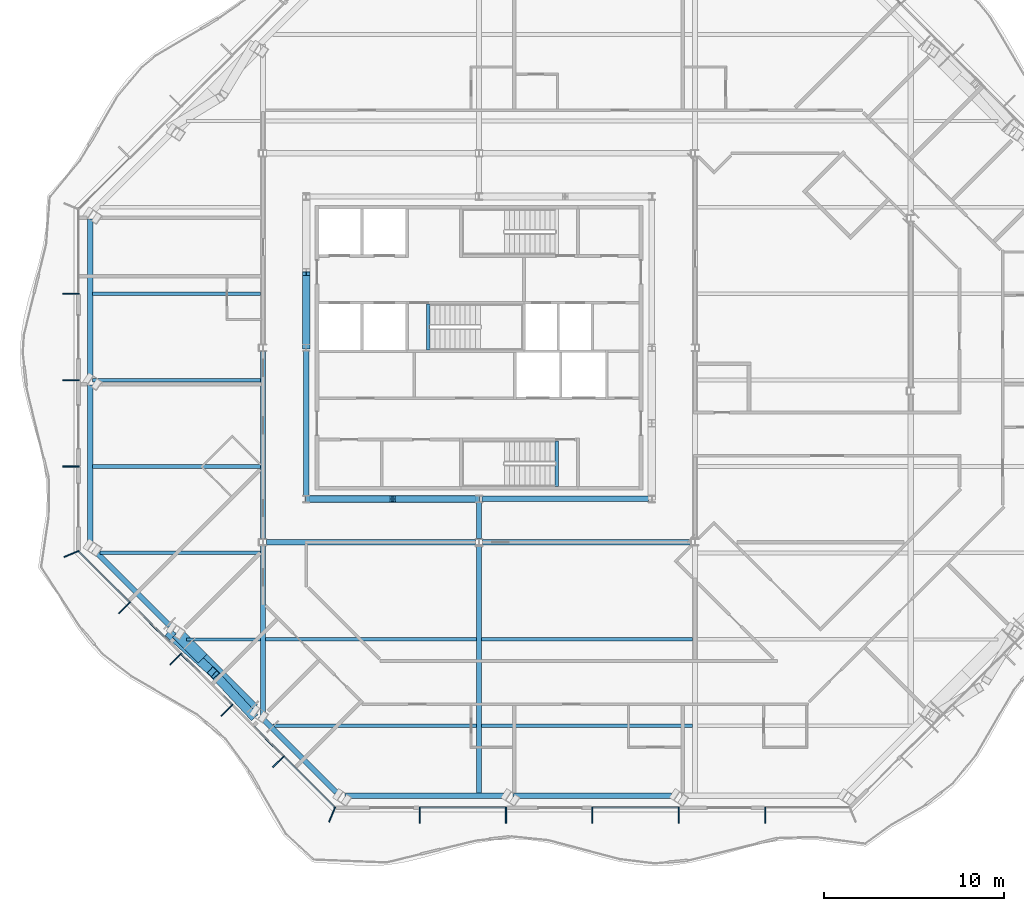
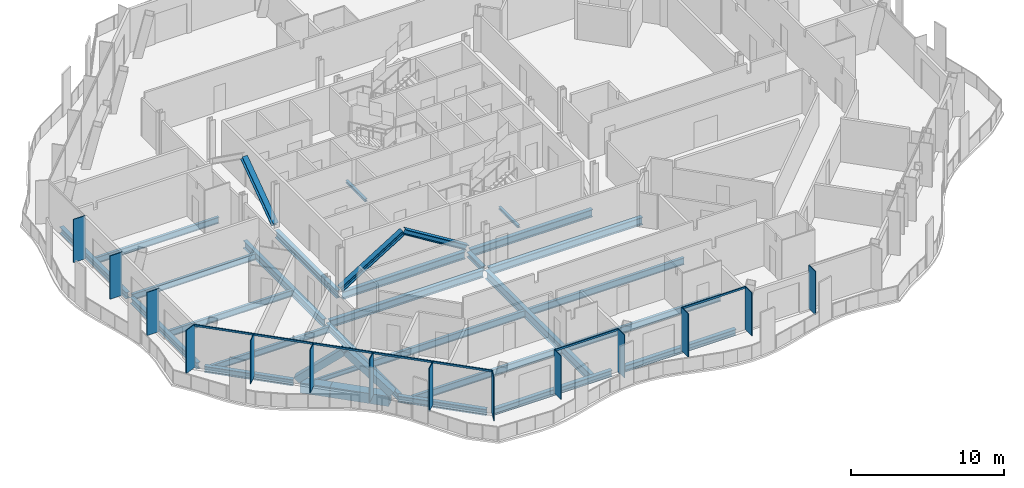
# One storey, part 3 of 19: 28 beams, 26 members, 3 elements without a shape of their own.
"""IFC4 building model written with IfcOpenShell, lengths in metres."""

from ifc_helpers import new_model, si_unit, direction, frame, origin, origin_2d, place, context, subcontext, project, spatial, rectangle, hollow_rectangle, i_section, extrude, material, material_profile, profile_set, type_object, element, aggregate, save


model = new_model("IFC4")

# Units and contexts
model_context = context("Model", 3, precision=1e-05, world=origin(), true_north=direction((0.0, 1.0)))
body_context = subcontext(model_context, "Body", "Model", "MODEL_VIEW")
ifc_project = project(units=[si_unit("LENGTHUNIT", "METRE"), si_unit("AREAUNIT", "SQUARE_METRE"), si_unit("VOLUMEUNIT", "CUBIC_METRE"), si_unit("PLANEANGLEUNIT", "RADIAN"), si_unit("MASSUNIT", "GRAM", prefix="KILO")], contexts=[model_context])

# Site, building, storey
site_placement = place(None, origin())
site = spatial("IfcSite", under=ifc_project, at=site_placement, CompositionType="ELEMENT")
building_placement = place(site_placement, origin())
building = spatial("IfcBuilding", under=site, at=building_placement, Name="Cairn Pilgrim Tower", CompositionType="ELEMENT")
storey_placement = place(building_placement, frame((0.0, 0.0, 193.800048828125)))
storey = spatial("IfcBuildingStorey", under=building, at=storey_placement, Name="L49", CompositionType="ELEMENT", Elevation=193.800048828125)

# Members
ifc_material_1 = material(Name="Structural steel S460M", Category="steel")
ifc_material_profile_1 = material_profile(ifc_material_1, hollow_rectangle(XDim=0.5, YDim=0.5, WallThickness=0.030029296875, at=origin_2d()), Name="BOX 500x500x30")
ifc_profile_set_1 = profile_set([ifc_material_profile_1], Name="Structural steel S460M")
member_type_1 = type_object("IfcMemberType", Name="BOX 500x500x30 BRACE", PredefinedType="BRACE", material=ifc_profile_set_1)
member_1_placement = place(storey_placement, frame((-9.9560546875, -13.5166015625, 0.14990234375), z_axis=(0.565179620566, -0.506592120291, 0.651104001029), x_axis=(0.667456890518, 0.744648440071, 0.0)))
element("IfcMember", 1, at=member_1_placement, inside=storey, type_object=member_type_1, Name="XB-SW2-SW3-1", PredefinedType="BRACE", context=body_context, shape_type="SweptSolid", body=[
    extrude(hollow_rectangle(XDim=0.5, YDim=0.5, WallThickness=0.030029296875, at=origin_2d()), origin(), (0.0, 0.0, 1.0), 4.1171875),
])
member_2_placement = place(storey_placement, frame((-5.37060546875, -18.0341796875, 0.14404296875), z_axis=(-0.515868398735, 0.557818526224, 0.650167891385), x_axis=(-0.734174056536, -0.678961305753, 0.0)))
element("IfcMember", 2, at=member_2_placement, inside=storey, type_object=member_type_1, Name="XB-SW2-SW3-2", PredefinedType="BRACE", context=body_context, shape_type="SweptSolid", body=[
    extrude(hollow_rectangle(XDim=0.5, YDim=0.5, WallThickness=0.030029296875, at=origin_2d()), origin(), (0.0, 0.0, 1.0), 4.132080078125),
])

# Beams
ifc_material_2 = material(Name="Structural steel S355J2", Category="steel")
ifc_material_profile_2 = material_profile(ifc_material_2, hollow_rectangle(XDim=0.699951171875, YDim=0.800048828125, WallThickness=0.0400390625, at=origin_2d()), Name="BOX 700x800x40")
ifc_profile_set_2 = profile_set([ifc_material_profile_2], Name="Structural steel S355J2")
beam_type_1 = type_object("IfcBeamType", Name="BOX 700x800x40 RING GIRDER", PredefinedType="SPANDREL", material=ifc_profile_set_2)
beam_1_placement = place(storey_placement, frame((-9.584716796875, -13.4423828125, -0.550048828125), z_axis=(0.707046316286, -0.707167240917, 0.0), x_axis=(0.707167240917, 0.707046316286, 0.0)))
element("IfcBeam", 3, at=beam_1_placement, inside=storey, type_object=beam_type_1, Name="RG2-SW2-SW3-1", PredefinedType="SPANDREL", context=body_context, shape_type="SweptSolid", body=[
    extrude(hollow_rectangle(XDim=0.699951171875, YDim=0.800048828125, WallThickness=0.0400390625, at=origin_2d()), origin(), (0.0, 0.0, 1.0), 2.01904296875),
])
beam_2_placement = place(storey_placement, frame((-8.1572265625, -14.8701171875, -0.550048828125), z_axis=(0.707137445632, -0.707076115411, 0.0), x_axis=(0.707076115411, 0.707137445632, 0.0)))
element("IfcBeam", 4, at=beam_2_placement, inside=storey, type_object=beam_type_1, Name="RG2-SW2-SW3-2", PredefinedType="SPANDREL", context=body_context, shape_type="SweptSolid", body=[
    extrude(hollow_rectangle(XDim=0.699951171875, YDim=0.800048828125, WallThickness=0.0400390625, at=origin_2d()), origin(), (0.0, 0.0, 1.0), 3.980712890625),
])

# Curtain wall, members
ifc_material_3 = material(Name="Aluminium alloy 6063-T6 bronze anodised with Bronze tinted laminated low-E glass 8+16+8.8", Category="aluminium")
curtain_wall_type_1 = type_object("IfcCurtainWallType", Name="TOWER STICK CURTAIN WALL NS", PredefinedType="NOTDEFINED", material=ifc_material_3)
curtain_wall_1_placement = place(storey_placement, origin())
curtain_wall_1 = element("IfcCurtainWall", 5, at=curtain_wall_1_placement, inside=storey, type_object=curtain_wall_type_1, Name="Tower Stick Curtain Wall Ns S", PredefinedType="NOTDEFINED")
ifc_material_4 = material(Name="Aluminium alloy 6063-T6 bronze anodised", Category="aluminium")
ifc_material_profile_3 = material_profile(ifc_material_4, rectangle(XDim=0.89990234375, YDim=0.06005859375, at=origin_2d()), Name="FIN MULLION 60x900 BRONZE")
ifc_profile_set_3 = profile_set([ifc_material_profile_3], Name="Aluminium alloy 6063-T6 bronze anodised")
member_type_2 = type_object("IfcMemberType", Name="FIN MULLION 60x900 BRONZE", PredefinedType="MULLION", material=ifc_profile_set_3)
member_3_placement = place(storey_placement, frame((-0.957275390625, -23.5380859375, 0.0), z_axis=(0.0, 0.0, 1.0), x_axis=(-0.382683432365, -0.923879532511, 0.0)))
member_3 = element("IfcMember", 6, at=member_3_placement, type_object=member_type_2, Name="Fin mullion S1", PredefinedType="MULLION", context=body_context, shape_type="SweptSolid", body=[
    extrude(rectangle(XDim=0.89990234375, YDim=0.06005859375, at=origin_2d()), origin(), (0.0, 0.0, 1.0), 3.449951171875),
])
member_4_placement = place(storey_placement, frame((3.89990234375, -23.570068359375, 0.0), z_axis=(0.0, 0.0, 1.0), x_axis=(0.0, -1.0, 0.0)))
member_4 = element("IfcMember", 7, at=member_4_placement, type_object=member_type_2, Name="Fin mullion S2", PredefinedType="MULLION", context=body_context, shape_type="SweptSolid", body=[
    extrude(rectangle(XDim=0.89990234375, YDim=0.06005859375, at=origin_2d()), origin(), (0.0, 0.0, 1.0), 3.449951171875),
])
member_5_placement = place(storey_placement, frame((8.699951171875, -23.570068359375, 0.0), z_axis=(0.0, 0.0, 1.0), x_axis=(0.0, -1.0, 0.0)))
member_5 = element("IfcMember", 8, at=member_5_placement, type_object=member_type_2, Name="Fin mullion S3", PredefinedType="MULLION", context=body_context, shape_type="SweptSolid", body=[
    extrude(rectangle(XDim=0.89990234375, YDim=0.06005859375, at=origin_2d()), origin(), (0.0, 0.0, 1.0), 3.449951171875),
])
member_6_placement = place(storey_placement, frame((13.5, -23.570068359375, 0.0), z_axis=(0.0, 0.0, 1.0), x_axis=(0.0, -1.0, 0.0)))
member_6 = element("IfcMember", 9, at=member_6_placement, type_object=member_type_2, Name="Fin mullion S4", PredefinedType="MULLION", context=body_context, shape_type="SweptSolid", body=[
    extrude(rectangle(XDim=0.89990234375, YDim=0.06005859375, at=origin_2d()), origin(), (0.0, 0.0, 1.0), 3.449951171875),
])
member_7_placement = place(storey_placement, frame((18.300048828125, -23.570068359375, 0.0), z_axis=(0.0, 0.0, 1.0), x_axis=(0.0, -1.0, 0.0)))
member_7 = element("IfcMember", 10, at=member_7_placement, type_object=member_type_2, Name="Fin mullion S5", PredefinedType="MULLION", context=body_context, shape_type="SweptSolid", body=[
    extrude(rectangle(XDim=0.89990234375, YDim=0.06005859375, at=origin_2d()), origin(), (0.0, 0.0, 1.0), 3.449951171875),
])
member_8_placement = place(storey_placement, frame((23.10009765625, -23.570068359375, 0.0), z_axis=(0.0, 0.0, 1.0), x_axis=(0.0, -1.0, 0.0)))
member_8 = element("IfcMember", 11, at=member_8_placement, type_object=member_type_2, Name="Fin mullion S6", PredefinedType="MULLION", context=body_context, shape_type="SweptSolid", body=[
    extrude(rectangle(XDim=0.89990234375, YDim=0.06005859375, at=origin_2d()), origin(), (0.0, 0.0, 1.0), 3.449951171875),
])

curtain_wall_type_2 = type_object("IfcCurtainWallType", Name="TOWER STICK CURTAIN WALL EW", PredefinedType="NOTDEFINED", material=ifc_material_3)
curtain_wall_2_placement = place(storey_placement, origin())
curtain_wall_2 = element("IfcCurtainWall", 12, at=curtain_wall_2_placement, inside=storey, type_object=curtain_wall_type_2, Name="Tower Stick Curtain Wall Ew W", PredefinedType="NOTDEFINED")
member_9_placement = place(storey_placement, frame((-15.469970703125, 5.39990234375, 0.0), z_axis=(0.0, 0.0, 1.0), x_axis=(-1.0, 0.0, 0.0)))
member_9 = element("IfcMember", 13, at=member_9_placement, type_object=member_type_2, Name="Fin mullion W2", PredefinedType="MULLION", context=body_context, shape_type="SweptSolid", body=[
    extrude(rectangle(XDim=0.89990234375, YDim=0.06005859375, at=origin_2d()), origin(), (0.0, 0.0, 1.0), 3.449951171875),
])
member_10_placement = place(storey_placement, frame((-15.469970703125, 0.60009765625, 0.0), z_axis=(0.0, 0.0, 1.0), x_axis=(-1.0, 0.0, 0.0)))
member_10 = element("IfcMember", 14, at=member_10_placement, type_object=member_type_2, Name="Fin mullion W3", PredefinedType="MULLION", context=body_context, shape_type="SweptSolid", body=[
    extrude(rectangle(XDim=0.89990234375, YDim=0.06005859375, at=origin_2d()), origin(), (0.0, 0.0, 1.0), 3.449951171875),
])
member_11_placement = place(storey_placement, frame((-15.469970703125, -4.199951171875, 0.0), z_axis=(0.0, 0.0, 1.0), x_axis=(-1.0, 0.0, 0.0)))
member_11 = element("IfcMember", 15, at=member_11_placement, type_object=member_type_2, Name="Fin mullion W4", PredefinedType="MULLION", context=body_context, shape_type="SweptSolid", body=[
    extrude(rectangle(XDim=0.89990234375, YDim=0.06005859375, at=origin_2d()), origin(), (0.0, 0.0, 1.0), 3.449951171875),
])
aggregate(curtain_wall_2, [member_9, member_10, member_11])

curtain_wall_type_3 = type_object("IfcCurtainWallType", Name="CHAMFER CORNER CURTAIN WALL", PredefinedType="NOTDEFINED", material=ifc_material_3)
curtain_wall_3_placement = place(storey_placement, origin())
curtain_wall_3 = element("IfcCurtainWall", 16, at=curtain_wall_3_placement, inside=storey, type_object=curtain_wall_type_3, Name="Chamfer Corner Curtain Wall SW", PredefinedType="NOTDEFINED")
member_12_placement = place(storey_placement, frame((-15.43798828125, -9.05712890625, 0.0), z_axis=(0.0, 0.0, 1.0), x_axis=(-0.923879532511, -0.382683432365, 0.0)))
member_12 = element("IfcMember", 17, at=member_12_placement, type_object=member_type_2, Name="Fin mullion SW1", PredefinedType="MULLION", context=body_context, shape_type="SweptSolid", body=[
    extrude(rectangle(XDim=0.89990234375, YDim=0.06005859375, at=origin_2d()), origin(), (0.0, 0.0, 1.0), 3.449951171875),
])
member_13_placement = place(storey_placement, frame((-12.496337890625, -12.044189453125, 0.0), z_axis=(0.0, 0.0, 1.0), x_axis=(-0.707106781187, -0.707106781187, 0.0)))
member_13 = element("IfcMember", 18, at=member_13_placement, type_object=member_type_2, Name="Fin mullion SW2", PredefinedType="MULLION", context=body_context, shape_type="SweptSolid", body=[
    extrude(rectangle(XDim=0.89990234375, YDim=0.06005859375, at=origin_2d()), origin(), (0.0, 0.0, 1.0), 3.449951171875),
])
member_14_placement = place(storey_placement, frame((-9.6455078125, -14.894775390625, 0.0), z_axis=(0.0, 0.0, 1.0), x_axis=(-0.707106781187, -0.707106781187, 0.0)))
member_14 = element("IfcMember", 19, at=member_14_placement, type_object=member_type_2, Name="Fin mullion SW3", PredefinedType="MULLION", context=body_context, shape_type="SweptSolid", body=[
    extrude(rectangle(XDim=0.89990234375, YDim=0.06005859375, at=origin_2d()), origin(), (0.0, 0.0, 1.0), 3.449951171875),
])
member_15_placement = place(storey_placement, frame((-6.794921875, -17.74560546875, 0.0), z_axis=(0.0, 0.0, 1.0), x_axis=(-0.707106781187, -0.707106781187, 0.0)))
member_15 = element("IfcMember", 20, at=member_15_placement, type_object=member_type_2, Name="Fin mullion SW4", PredefinedType="MULLION", context=body_context, shape_type="SweptSolid", body=[
    extrude(rectangle(XDim=0.89990234375, YDim=0.06005859375, at=origin_2d()), origin(), (0.0, 0.0, 1.0), 3.449951171875),
])
member_16_placement = place(storey_placement, frame((-3.944091796875, -20.59619140625, 0.0), z_axis=(0.0, 0.0, 1.0), x_axis=(-0.707106781187, -0.707106781187, 0.0)))
member_16 = element("IfcMember", 21, at=member_16_placement, type_object=member_type_2, Name="Fin mullion SW5", PredefinedType="MULLION", context=body_context, shape_type="SweptSolid", body=[
    extrude(rectangle(XDim=0.89990234375, YDim=0.06005859375, at=origin_2d()), origin(), (0.0, 0.0, 1.0), 3.449951171875),
])

# Members
ifc_material_profile_4 = material_profile(ifc_material_2, i_section(OverallWidth=0.39794921875, OverallDepth=0.386962890625, WebThickness=0.02099609375, FlangeThickness=0.033203125, FilletRadius=0.014892578125, at=origin_2d()), Name="HD 400x262")
ifc_profile_set_4 = profile_set([ifc_material_profile_4], Name="Structural steel S355J2")
member_type_3 = type_object("IfcMemberType", Name="HD 400x262 BRACE", PredefinedType="BRACE", material=ifc_profile_set_4)
member_17_placement = place(storey_placement, frame((-2.359619140625, -6.0, 0.099853515625), z_axis=(0.851160677397, 0.0, 0.524905230736), x_axis=(0.0, 1.0, 0.0)))
element("IfcMember", 22, at=member_17_placement, inside=storey, type_object=member_type_3, Name="KB-1A", PredefinedType="BRACE", context=body_context, shape_type="SweptSolid", body=[
    extrude(i_section(OverallWidth=0.39794921875, OverallDepth=0.386962890625, WebThickness=0.02099609375, FlangeThickness=0.033203125, FilletRadius=0.014892578125, at=origin_2d()), origin(), (0.0, 0.0, 1.0), 5.529296875),
])
member_18_placement = place(storey_placement, frame((7.15966796875, -6.0, 0.099853515625), z_axis=(-0.851172842321, 0.0, 0.524885504177), x_axis=(0.0, -1.0, 0.0)))
element("IfcMember", 23, at=member_18_placement, inside=storey, type_object=member_type_3, Name="KB-1B", PredefinedType="BRACE", context=body_context, shape_type="SweptSolid", body=[
    extrude(i_section(OverallWidth=0.39794921875, OverallDepth=0.386962890625, WebThickness=0.02099609375, FlangeThickness=0.033203125, FilletRadius=0.014892578125, at=origin_2d()), origin(), (0.0, 0.0, 1.0), 5.529541015625),
])
member_19_placement = place(storey_placement, frame((-2.39990234375, 2.4404296875, 0.099853515625), z_axis=(0.0, 0.814412678688, 0.580286126659), x_axis=(-1.0, 0.0, 0.0)))
element("IfcMember", 24, at=member_19_placement, inside=storey, type_object=member_type_3, Name="KB-4B", PredefinedType="BRACE", context=body_context, shape_type="SweptSolid", body=[
    extrude(i_section(OverallWidth=0.39794921875, OverallDepth=0.386962890625, WebThickness=0.02099609375, FlangeThickness=0.033203125, FilletRadius=0.014892578125, at=origin_2d()), origin(), (0.0, 0.0, 1.0), 4.9990234375),
])

# Beams
ifc_material_profile_5 = material_profile(ifc_material_2, i_section(OverallWidth=0.300048828125, OverallDepth=0.39990234375, WebThickness=0.013427734375, FlangeThickness=0.02392578125, FilletRadius=0.027099609375, at=origin_2d()), Name="HEB 400")
ifc_profile_set_5 = profile_set([ifc_material_profile_5], Name="Structural steel S355J2")
beam_type_2 = type_object("IfcBeamType", Name="HEB 400 GIRDER", PredefinedType="BEAM", material=ifc_profile_set_5)
beam_3_placement = place(storey_placement, frame((7.199951171875, -8.200439453125, -0.35009765625), z_axis=(0.0, 1.0, 0.0), x_axis=(-1.0, 0.0, 0.0)))
element("IfcBeam", 25, at=beam_3_placement, inside=storey, type_object=beam_type_2, Name="PG3-E1", PredefinedType="BEAM", context=body_context, shape_type="SweptSolid", body=[
    extrude(i_section(OverallWidth=0.300048828125, OverallDepth=0.39990234375, WebThickness=0.013427734375, FlangeThickness=0.02392578125, FilletRadius=0.027099609375, at=origin_2d()), origin(), (0.0, 0.0, 1.0), 1.99853515625),
])
ifc_material_profile_6 = material_profile(ifc_material_2, i_section(OverallWidth=0.300048828125, OverallDepth=0.5, WebThickness=0.014404296875, FlangeThickness=0.028076171875, FilletRadius=0.027099609375, at=origin_2d()), Name="HEB 500")
ifc_profile_set_6 = profile_set([ifc_material_profile_6], Name="Structural steel S355J2")
beam_type_3 = type_object("IfcBeamType", Name="HEB 500 GIRDER", PredefinedType="BEAM", material=ifc_profile_set_6)
beam_4_placement = place(storey_placement, frame((-4.800048828125, -18.045166015625, -0.400146484375), z_axis=(0.0, 1.0, 0.0), x_axis=(-1.0, 0.0, 0.0)))
element("IfcBeam", 26, at=beam_4_placement, inside=storey, type_object=beam_type_3, Name="PG2-1", PredefinedType="BEAM", context=body_context, shape_type="SweptSolid", body=[
    extrude(i_section(OverallWidth=0.300048828125, OverallDepth=0.5, WebThickness=0.014404296875, FlangeThickness=0.028076171875, FilletRadius=0.027099609375, at=origin_2d()), origin(), (0.0, 0.0, 1.0), 9.445556640625),
])
ifc_material_profile_7 = material_profile(ifc_material_2, i_section(OverallWidth=0.300048828125, OverallDepth=0.5, WebThickness=0.014404296875, FlangeThickness=0.028076171875, FilletRadius=0.027099609375, at=origin_2d()), Name="HEB 500")
ifc_profile_set_7 = profile_set([ifc_material_profile_7], Name="Structural steel S355J2")
beam_type_4 = type_object("IfcBeamType", Name="HEB 500 RING GIRDER", PredefinedType="SPANDREL", material=ifc_profile_set_7)
beam_5_placement = place(storey_placement, frame((-0.257080078125, -22.5, -0.400146484375), z_axis=(1.0, 0.0, 0.0), x_axis=(0.0, 1.0, 0.0)))
element("IfcBeam", 27, at=beam_5_placement, inside=storey, type_object=beam_type_4, Name="RG2-S1-S2", PredefinedType="SPANDREL", context=body_context, shape_type="SweptSolid", body=[
    extrude(i_section(OverallWidth=0.300048828125, OverallDepth=0.5, WebThickness=0.014404296875, FlangeThickness=0.028076171875, FilletRadius=0.027099609375, at=origin_2d()), origin(), (0.0, 0.0, 1.0), 8.811279296875),
])
beam_6_placement = place(storey_placement, frame((9.09423828125, -22.5, -0.400146484375), z_axis=(1.0, 0.0, 0.0), x_axis=(0.0, 1.0, 0.0)))
element("IfcBeam", 28, at=beam_6_placement, inside=storey, type_object=beam_type_4, Name="RG2-S2-S3", PredefinedType="SPANDREL", context=body_context, shape_type="SweptSolid", body=[
    extrude(i_section(OverallWidth=0.300048828125, OverallDepth=0.5, WebThickness=0.014404296875, FlangeThickness=0.028076171875, FilletRadius=0.027099609375, at=origin_2d()), origin(), (0.0, 0.0, 1.0), 8.8115234375),
])
beam_7_placement = place(storey_placement, frame((-14.39990234375, 9.55712890625, -0.400146484375), z_axis=(0.0, -1.0, 0.0), x_axis=(1.0, 0.0, 0.0)))
element("IfcBeam", 29, at=beam_7_placement, inside=storey, type_object=beam_type_4, Name="RG2-W1-W2", PredefinedType="SPANDREL", context=body_context, shape_type="SweptSolid", body=[
    extrude(i_section(OverallWidth=0.300048828125, OverallDepth=0.5, WebThickness=0.014404296875, FlangeThickness=0.028076171875, FilletRadius=0.027099609375, at=origin_2d()), origin(), (0.0, 0.0, 1.0), 8.68701171875),
])
beam_8_placement = place(storey_placement, frame((-14.39990234375, 0.330078125, -0.400146484375), z_axis=(0.0, -1.0, 0.0), x_axis=(1.0, 0.0, 0.0)))
element("IfcBeam", 30, at=beam_8_placement, inside=storey, type_object=beam_type_4, Name="RG2-W2-SW1", PredefinedType="SPANDREL", context=body_context, shape_type="SweptSolid", body=[
    extrude(i_section(OverallWidth=0.300048828125, OverallDepth=0.5, WebThickness=0.014404296875, FlangeThickness=0.028076171875, FilletRadius=0.027099609375, at=origin_2d()), origin(), (0.0, 0.0, 1.0), 8.687255859375),
])
beam_9_placement = place(storey_placement, frame((-14.208984375, -8.818115234375, -0.400146484375), z_axis=(0.707086434254, -0.707127127534, 0.0), x_axis=(0.707127127534, 0.707086434254, 0.0)))
element("IfcBeam", 31, at=beam_9_placement, inside=storey, type_object=beam_type_4, Name="RG2-SW1-SW2", PredefinedType="SPANDREL", context=body_context, shape_type="SweptSolid", body=[
    extrude(i_section(OverallWidth=0.300048828125, OverallDepth=0.5, WebThickness=0.014404296875, FlangeThickness=0.028076171875, FilletRadius=0.027099609375, at=origin_2d()), origin(), (0.0, 0.0, 1.0), 5.99951171875),
])
beam_10_placement = place(storey_placement, frame((-4.960693359375, -18.066650390625, -0.400146484375), z_axis=(0.707127126363, -0.707086435425, 0.0), x_axis=(0.707086435425, 0.707127126363, 0.0)))
element("IfcBeam", 32, at=beam_10_placement, inside=storey, type_object=beam_type_4, Name="RG2-SW3-S1", PredefinedType="SPANDREL", context=body_context, shape_type="SweptSolid", body=[
    extrude(i_section(OverallWidth=0.300048828125, OverallDepth=0.5, WebThickness=0.014404296875, FlangeThickness=0.028076171875, FilletRadius=0.027099609375, at=origin_2d()), origin(), (0.0, 0.0, 1.0), 5.999755859375),
])
ifc_material_profile_8 = material_profile(ifc_material_2, i_section(OverallWidth=0.300048828125, OverallDepth=0.60009765625, WebThickness=0.015380859375, FlangeThickness=0.030029296875, FilletRadius=0.027099609375, at=origin_2d()), Name="HEB 600")
ifc_profile_set_8 = profile_set([ifc_material_profile_8], Name="Structural steel S355J2")
beam_type_5 = type_object("IfcBeamType", Name="HEB 600 CORE BEAM", PredefinedType="BEAM", material=ifc_profile_set_8)
beam_11_placement = place(storey_placement, frame((-2.21826171875, -6.0, -0.449951171875), z_axis=(1.0, 0.0, 0.0), x_axis=(0.0, 1.0, 0.0)))
element("IfcBeam", 33, at=beam_11_placement, inside=storey, type_object=beam_type_5, Name="CB-1", PredefinedType="BEAM", context=body_context, shape_type="SweptSolid", body=[
    extrude(i_section(OverallWidth=0.300048828125, OverallDepth=0.60009765625, WebThickness=0.015380859375, FlangeThickness=0.030029296875, FilletRadius=0.027099609375, at=origin_2d()), origin(), (0.0, 0.0, 1.0), 9.236572265625),
])
beam_12_placement = place(storey_placement, frame((7.3818359375, -6.0, -0.449951171875), z_axis=(1.0, 0.0, 0.0), x_axis=(0.0, 1.0, 0.0)))
element("IfcBeam", 34, at=beam_12_placement, inside=storey, type_object=beam_type_5, Name="CB-2", PredefinedType="BEAM", context=body_context, shape_type="SweptSolid", body=[
    extrude(i_section(OverallWidth=0.300048828125, OverallDepth=0.60009765625, WebThickness=0.015380859375, FlangeThickness=0.030029296875, FilletRadius=0.027099609375, at=origin_2d()), origin(), (0.0, 0.0, 1.0), 9.236328125),
])
beam_13_placement = place(storey_placement, frame((-2.39990234375, 2.21826171875, -0.449951171875), z_axis=(0.0, -1.0, 0.0), x_axis=(1.0, 0.0, 0.0)))
element("IfcBeam", 35, at=beam_13_placement, inside=storey, type_object=beam_type_5, Name="CB-8", PredefinedType="BEAM", context=body_context, shape_type="SweptSolid", body=[
    extrude(i_section(OverallWidth=0.300048828125, OverallDepth=0.60009765625, WebThickness=0.015380859375, FlangeThickness=0.030029296875, FilletRadius=0.027099609375, at=origin_2d()), origin(), (0.0, 0.0, 1.0), 8.036376953125),
])
ifc_material_profile_9 = material_profile(ifc_material_2, i_section(OverallWidth=0.300048828125, OverallDepth=0.60009765625, WebThickness=0.015380859375, FlangeThickness=0.030029296875, FilletRadius=0.027099609375, at=origin_2d()), Name="HEB 600")
ifc_profile_set_9 = profile_set([ifc_material_profile_9], Name="Structural steel S355J2")
beam_type_6 = type_object("IfcBeamType", Name="HEB 600 GIRDER", PredefinedType="BEAM", material=ifc_profile_set_9)
beam_14_placement = place(storey_placement, frame((-4.800048828125, -8.200439453125, -0.449951171875), z_axis=(0.0, 1.0, 0.0), x_axis=(-1.0, 0.0, 0.0)))
element("IfcBeam", 36, at=beam_14_placement, inside=storey, type_object=beam_type_6, Name="PG2-2", PredefinedType="BEAM", context=body_context, shape_type="SweptSolid", body=[
    extrude(i_section(OverallWidth=0.300048828125, OverallDepth=0.60009765625, WebThickness=0.015380859375, FlangeThickness=0.030029296875, FilletRadius=0.027099609375, at=origin_2d()), origin(), (0.0, 0.0, 1.0), 10.40087890625),
])
ifc_material_profile_10 = material_profile(ifc_material_2, i_section(OverallWidth=0.300048828125, OverallDepth=0.60009765625, WebThickness=0.015380859375, FlangeThickness=0.030029296875, FilletRadius=0.027099609375, at=origin_2d()), Name="HEB 600")
ifc_profile_set_10 = profile_set([ifc_material_profile_10], Name="Structural steel S355J2")
beam_type_7 = type_object("IfcBeamType", Name="HEB 600 INNER GIRDER", PredefinedType="BEAM", material=ifc_profile_set_10)
for number, where, z_axis, x_axis, name in (
    (37, (-4.6005859375, -8.39990234375, -0.449951171875), (1.0, 0.0, 0.0), (0.0, 1.0, 0.0), "IG1-1"),
    (38, (7.3994140625, -8.39990234375, -0.449951171875), (1.0, 0.0, 0.0), (0.0, 1.0, 0.0), "IG1-2"),
):
    element("IfcBeam", number, at=place(storey_placement, frame(where, z_axis=z_axis, x_axis=x_axis)), inside=storey, type_object=beam_type_7, Name=name, PredefinedType="BEAM", context=body_context, shape_type="SweptSolid", body=[
        extrude(i_section(OverallWidth=0.300048828125, OverallDepth=0.60009765625, WebThickness=0.015380859375, FlangeThickness=0.030029296875, FilletRadius=0.027099609375, at=origin_2d()), origin(), (0.0, 0.0, 1.0), 11.60107421875),
    ])
ifc_material_profile_11 = material_profile(ifc_material_2, i_section(OverallWidth=0.300048828125, OverallDepth=0.699951171875, WebThickness=0.01708984375, FlangeThickness=0.031982421875, FilletRadius=0.027099609375, at=origin_2d()), Name="HEB 700")
ifc_profile_set_11 = profile_set([ifc_material_profile_11], Name="Structural steel S355J2")
beam_type_8 = type_object("IfcBeamType", Name="HEB 700 GIRDER", PredefinedType="BEAM", material=ifc_profile_set_11)
beam_15_placement = place(storey_placement, frame((7.199951171875, -22.3798828125, -0.5), z_axis=(0.0, 1.0, 0.0), x_axis=(-1.0, 0.0, 0.0)))
element("IfcBeam", 39, at=beam_15_placement, inside=storey, type_object=beam_type_8, Name="PG3-1", PredefinedType="BEAM", context=body_context, shape_type="SweptSolid", body=[
    extrude(i_section(OverallWidth=0.300048828125, OverallDepth=0.699951171875, WebThickness=0.01708984375, FlangeThickness=0.031982421875, FilletRadius=0.027099609375, at=origin_2d()), origin(), (0.0, 0.0, 1.0), 13.7802734375),
])
ifc_material_profile_12 = material_profile(ifc_material_2, i_section(OverallWidth=0.169921875, OverallDepth=0.360107421875, WebThickness=0.008056640625, FlangeThickness=0.0126953125, FilletRadius=0.01806640625, at=origin_2d()), Name="IPE 360")
ifc_profile_set_12 = profile_set([ifc_material_profile_12], Name="Structural steel S355J2")
beam_type_9 = type_object("IfcBeamType", Name="IPE 360 SECONDARY BEAM", PredefinedType="JOIST", material=ifc_profile_set_12)
beam_16_placement = place(storey_placement, frame((-9.045166015625, -13.800048828125, -0.330078125), z_axis=(1.0, 0.0, 0.0), x_axis=(0.0, 1.0, 0.0)))
element("IfcBeam", 40, at=beam_16_placement, inside=storey, type_object=beam_type_9, Name="SB2-1", PredefinedType="JOIST", context=body_context, shape_type="SweptSolid", body=[
    extrude(i_section(OverallWidth=0.169921875, OverallDepth=0.360107421875, WebThickness=0.008056640625, FlangeThickness=0.0126953125, FilletRadius=0.01806640625, at=origin_2d()), origin(), (0.0, 0.0, 1.0), 4.09521484375),
])
ifc_material_profile_13 = material_profile(ifc_material_2, i_section(OverallWidth=0.199951171875, OverallDepth=0.5, WebThickness=0.01025390625, FlangeThickness=0.01611328125, FilletRadius=0.02099609375, at=origin_2d()), Name="IPE 500")
ifc_profile_set_13 = profile_set([ifc_material_profile_13], Name="Structural steel S355J2")
beam_type_10 = type_object("IfcBeamType", Name="IPE 500 SECONDARY BEAM", PredefinedType="JOIST", material=ifc_profile_set_13)
beam_17_placement = place(storey_placement, frame((-13.84521484375, -9.0, -0.400146484375), z_axis=(1.0, 0.0, 0.0), x_axis=(0.0, 1.0, 0.0)))
element("IfcBeam", 41, at=beam_17_placement, inside=storey, type_object=beam_type_10, Name="SB3-1", PredefinedType="JOIST", context=body_context, shape_type="SweptSolid", body=[
    extrude(i_section(OverallWidth=0.199951171875, OverallDepth=0.5, WebThickness=0.01025390625, FlangeThickness=0.01611328125, FilletRadius=0.02099609375, at=origin_2d()), origin(), (0.0, 0.0, 1.0), 8.895263671875),
])
for number, where, z_axis, x_axis, name in (
    (42, (-14.280029296875, -4.199951171875, -0.400146484375), (1.0, 0.0, 0.0), (0.0, 1.0, 0.0), "SB4-1"),
    (43, (-14.280029296875, 0.60009765625, -0.400146484375), (1.0, 0.0, 0.0), (0.0, 1.0, 0.0), "SB5-1"),
    (44, (-14.280029296875, 5.39990234375, -0.400146484375), (1.0, 0.0, 0.0), (0.0, 1.0, 0.0), "SB6-1"),
):
    element("IfcBeam", number, at=place(storey_placement, frame(where, z_axis=z_axis, x_axis=x_axis)), inside=storey, type_object=beam_type_10, Name=name, PredefinedType="JOIST", context=body_context, shape_type="SweptSolid", body=[
        extrude(i_section(OverallWidth=0.199951171875, OverallDepth=0.5, WebThickness=0.01025390625, FlangeThickness=0.01611328125, FilletRadius=0.02099609375, at=origin_2d()), origin(), (0.0, 0.0, 1.0), 9.330078125),
    ])
ifc_material_profile_14 = material_profile(ifc_material_2, i_section(OverallWidth=0.2099609375, OverallDepth=0.550048828125, WebThickness=0.010986328125, FlangeThickness=0.01708984375, FilletRadius=0.02392578125, at=origin_2d()), Name="IPE 550")
ifc_profile_set_14 = profile_set([ifc_material_profile_14], Name="Structural steel S355J2")
beam_type_11 = type_object("IfcBeamType", Name="IPE 550 SECONDARY BEAM", PredefinedType="JOIST", material=ifc_profile_set_14)
beam_18_placement = place(storey_placement, frame((-4.2451171875, -18.60009765625, -0.425048828125), z_axis=(1.0, 0.0, 0.0), x_axis=(0.0, 1.0, 0.0)))
element("IfcBeam", 45, at=beam_18_placement, inside=storey, type_object=beam_type_11, Name="SB1-1", PredefinedType="JOIST", context=body_context, shape_type="SweptSolid", body=[
    extrude(i_section(OverallWidth=0.2099609375, OverallDepth=0.550048828125, WebThickness=0.010986328125, FlangeThickness=0.01708984375, FilletRadius=0.02392578125, at=origin_2d()), origin(), (0.0, 0.0, 1.0), 11.295166015625),
])
for number, where, z_axis, x_axis, name in (
    (46, (7.35009765625, -18.60009765625, -0.425048828125), (1.0, 0.0, 0.0), (0.0, 1.0, 0.0), "SB1-2"),
    (47, (-4.64990234375, -13.800048828125, -0.425048828125), (1.0, 0.0, 0.0), (0.0, 1.0, 0.0), "SB2-2"),
    (48, (7.35009765625, -13.800048828125, -0.425048828125), (1.0, 0.0, 0.0), (0.0, 1.0, 0.0), "SB2-3"),
):
    element("IfcBeam", number, at=place(storey_placement, frame(where, z_axis=z_axis, x_axis=x_axis)), inside=storey, type_object=beam_type_11, Name=name, PredefinedType="JOIST", context=body_context, shape_type="SweptSolid", body=[
        extrude(i_section(OverallWidth=0.2099609375, OverallDepth=0.550048828125, WebThickness=0.010986328125, FlangeThickness=0.01708984375, FilletRadius=0.02392578125, at=origin_2d()), origin(), (0.0, 0.0, 1.0), 11.699951171875),
    ])
ifc_material_profile_15 = material_profile(ifc_material_2, i_section(OverallWidth=0.199951171875, OverallDepth=0.199951171875, WebThickness=0.009033203125, FlangeThickness=0.014892578125, FilletRadius=0.01806640625, at=origin_2d()), Name="HE 200 B")
ifc_profile_set_15 = profile_set([ifc_material_profile_15], Name="Structural steel S355J2")
beam_type_12 = type_object("IfcBeamType", Name="STAIR LANDING BEAM HE 200 B", PredefinedType="BEAM", material=ifc_profile_set_15)
beam_19_placement = place(storey_placement, frame((11.5244140625, -2.77490234375, -0.25), z_axis=(0.0, -1.0, 0.0), x_axis=(1.0, 0.0, 0.0)))
element("IfcBeam", 49, at=beam_19_placement, inside=storey, type_object=beam_type_12, Name="STAIR LANDING BEAM LD-HE200B", PredefinedType="BEAM", context=body_context, shape_type="SweptSolid", body=[
    extrude(i_section(OverallWidth=0.199951171875, OverallDepth=0.199951171875, WebThickness=0.009033203125, FlangeThickness=0.014892578125, FilletRadius=0.01806640625, at=origin_2d()), origin(), (0.0, 0.0, 1.0), 2.525146484375),
])
beam_20_placement = place(storey_placement, frame((4.37548828125, 2.27490234375, -0.25), z_axis=(0.0, 1.0, 0.0), x_axis=(-1.0, 0.0, 0.0)))
element("IfcBeam", 50, at=beam_20_placement, inside=storey, type_object=beam_type_12, Name="STAIR LANDING BEAM LD-HE200B", PredefinedType="BEAM", context=body_context, shape_type="SweptSolid", body=[
    extrude(i_section(OverallWidth=0.199951171875, OverallDepth=0.199951171875, WebThickness=0.009033203125, FlangeThickness=0.014892578125, FilletRadius=0.01806640625, at=origin_2d()), origin(), (0.0, 0.0, 1.0), 2.550048828125),
])

# Member
ifc_material_profile_16 = material_profile(ifc_material_4, rectangle(XDim=0.080078125, YDim=0.14990234375, at=origin_2d()), Name="TRANSOM 80x150 BRONZE")
ifc_profile_set_16 = profile_set([ifc_material_profile_16], Name="Aluminium alloy 6063-T6 bronze anodised")
member_type_4 = type_object("IfcMemberType", Name="TRANSOM 80x150 BRONZE", PredefinedType="USERDEFINED", material=ifc_profile_set_16)
member_20_placement = place(storey_placement, frame((3.929931640625, -23.14990234375, 3.375), z_axis=(1.0, 0.0, 0.0), x_axis=(0.0, 1.0, 0.0)))
member_20 = element("IfcMember", 51, at=member_20_placement, type_object=member_type_4, Name="Transom S2", ObjectType="TRANSOM", PredefinedType="USERDEFINED", context=body_context, shape_type="SweptSolid", body=[
    extrude(rectangle(XDim=0.080078125, YDim=0.14990234375, at=origin_2d()), origin(), (0.0, 0.0, 1.0), 4.739990234375),
])

member_21_placement = place(storey_placement, frame((13.530029296875, -23.14990234375, 3.375), z_axis=(1.0, 0.0, 0.0), x_axis=(0.0, 1.0, 0.0)))
member_21 = element("IfcMember", 52, at=member_21_placement, type_object=member_type_4, Name="Transom S4", ObjectType="TRANSOM", PredefinedType="USERDEFINED", context=body_context, shape_type="SweptSolid", body=[
    extrude(rectangle(XDim=0.080078125, YDim=0.14990234375, at=origin_2d()), origin(), (0.0, 0.0, 1.0), 4.739990234375),
])

aggregate(curtain_wall_1, [member_3, member_4, member_5, member_6, member_7, member_8, member_20, member_21])

member_22_placement = place(storey_placement, frame((-15.021728515625, -8.9248046875, 3.375), z_axis=(0.707137595296, -0.707075965734, 0.0), x_axis=(0.707075965734, 0.707137595296, 0.0)))
member_22 = element("IfcMember", 53, at=member_22_placement, type_object=member_type_4, Name="Transom SW1", ObjectType="TRANSOM", PredefinedType="USERDEFINED", context=body_context, shape_type="SweptSolid", body=[
    extrude(rectangle(XDim=0.080078125, YDim=0.14990234375, at=origin_2d()), origin(), (0.0, 0.0, 1.0), 3.96142578125),
])

member_23_placement = place(storey_placement, frame((-12.177978515625, -11.768310546875, 3.375), z_axis=(0.707076043427, -0.70713751761, 0.0), x_axis=(0.70713751761, 0.707076043427, 0.0)))
member_23 = element("IfcMember", 54, at=member_23_placement, type_object=member_type_4, Name="Transom SW2", ObjectType="TRANSOM", PredefinedType="USERDEFINED", context=body_context, shape_type="SweptSolid", body=[
    extrude(rectangle(XDim=0.080078125, YDim=0.14990234375, at=origin_2d()), origin(), (0.0, 0.0, 1.0), 3.971435546875),
])

member_24_placement = place(storey_placement, frame((-9.327392578125, -14.619140625, 3.375), z_axis=(0.70713751761, -0.707076043427, 0.0), x_axis=(0.707076043427, 0.70713751761, 0.0)))
member_24 = element("IfcMember", 55, at=member_24_placement, type_object=member_type_4, Name="Transom SW3", ObjectType="TRANSOM", PredefinedType="USERDEFINED", context=body_context, shape_type="SweptSolid", body=[
    extrude(rectangle(XDim=0.080078125, YDim=0.14990234375, at=origin_2d()), origin(), (0.0, 0.0, 1.0), 3.971435546875),
])

member_25_placement = place(storey_placement, frame((-6.4765625, -17.4697265625, 3.375), z_axis=(0.707076043427, -0.70713751761, 0.0), x_axis=(0.70713751761, 0.707076043427, 0.0)))
member_25 = element("IfcMember", 56, at=member_25_placement, type_object=member_type_4, Name="Transom SW4", ObjectType="TRANSOM", PredefinedType="USERDEFINED", context=body_context, shape_type="SweptSolid", body=[
    extrude(rectangle(XDim=0.080078125, YDim=0.14990234375, at=origin_2d()), origin(), (0.0, 0.0, 1.0), 3.971435546875),
])

member_26_placement = place(storey_placement, frame((-3.6259765625, -20.320556640625, 3.375), z_axis=(0.707106781187, -0.707106781187, 0.0), x_axis=(0.707106781187, 0.707106781187, 0.0)))
member_26 = element("IfcMember", 57, at=member_26_placement, type_object=member_type_4, Name="Transom SW5", ObjectType="TRANSOM", PredefinedType="USERDEFINED", context=body_context, shape_type="SweptSolid", body=[
    extrude(rectangle(XDim=0.080078125, YDim=0.14990234375, at=origin_2d()), origin(), (0.0, 0.0, 1.0), 3.961669921875),
])

aggregate(curtain_wall_3, [member_12, member_13, member_14, member_15, member_16, member_22, member_23, member_24, member_25, member_26])

save(model, "model.ifc")
